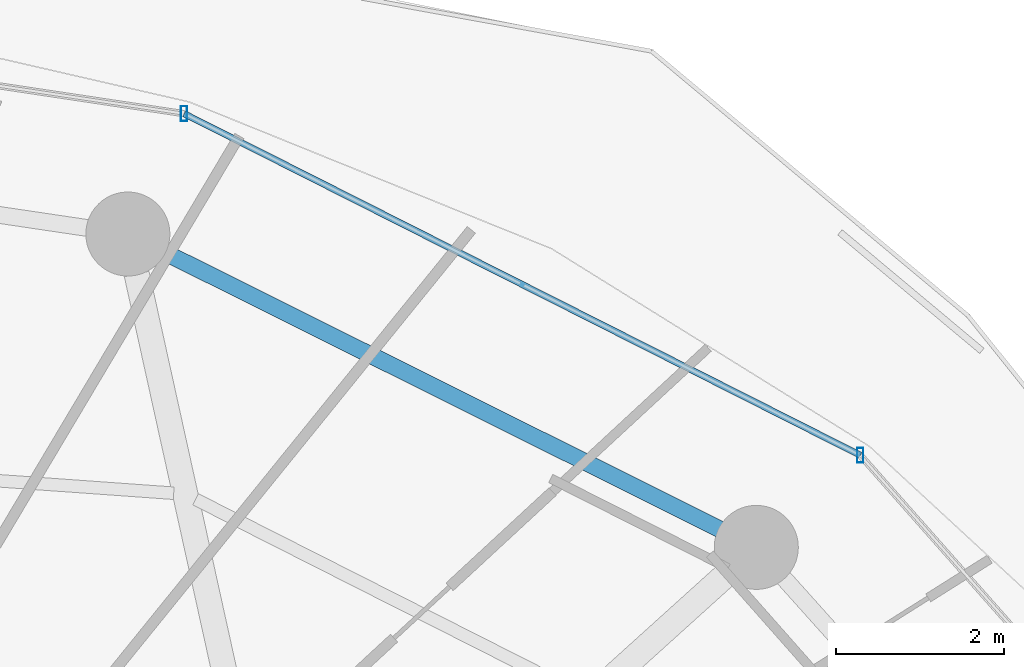
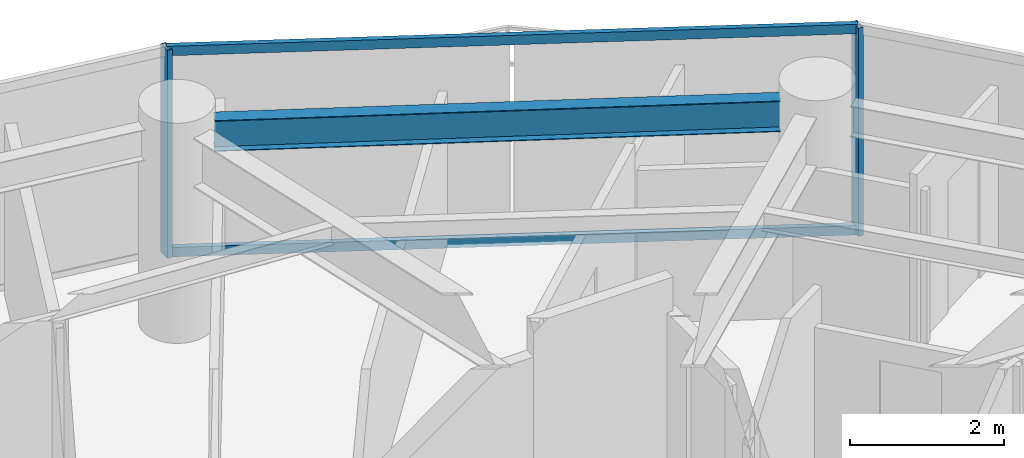
# One storey, part 18 of 28: 4 members, 1 beam, 1 element without a shape of its own.
"""IFC4 building model written with IfcOpenShell, lengths in metres."""

from ifc_helpers import new_model, si_unit, direction, frame, origin, origin_2d, place, context, subcontext, project, spatial, hollow_rectangle, i_section, extrude, material, material_profile, profile_set, type_object, element, aggregate, save


model = new_model("IFC4")

# Units and contexts
model_context = context("Model", 3, precision=1e-05, world=origin(), true_north=direction((0.0, 1.0)))
body_context = subcontext(model_context, "Body", "Model", "MODEL_VIEW")
ifc_project = project(units=[si_unit("LENGTHUNIT", "METRE"), si_unit("AREAUNIT", "SQUARE_METRE"), si_unit("VOLUMEUNIT", "CUBIC_METRE"), si_unit("PLANEANGLEUNIT", "RADIAN"), si_unit("MASSUNIT", "GRAM", prefix="KILO")], contexts=[model_context])

# Site, building, storey
site_placement = place(None, origin())
site = spatial("IfcSite", under=ifc_project, at=site_placement, CompositionType="ELEMENT")
building_placement = place(site_placement, origin())
building = spatial("IfcBuilding", under=site, at=building_placement, Name="Vorneva Point Tower", CompositionType="ELEMENT")
storey_placement = place(building_placement, frame((0.0, 0.0, 139.60009765625)))
storey = spatial("IfcBuildingStorey", under=building, at=storey_placement, Name="L37", CompositionType="ELEMENT", Elevation=139.60009765625)

# Beam
ifc_material_1 = material(Name="Steel S355", Category="steel")
ifc_material_profile_1 = material_profile(ifc_material_1, i_section(OverallWidth=0.199951171875, OverallDepth=0.491943359375, WebThickness=0.0087890625, FlangeThickness=0.011962890625, at=origin_2d()), Name="50B1")
ifc_profile_set_1 = profile_set([ifc_material_profile_1], Name="Steel S355")
beam_type = type_object("IfcBeamType", Name="BM-SPN-50B1", PredefinedType="SPANDREL", material=ifc_profile_set_1)
beam_placement = place(storey_placement, frame((53.86474609375, 38.378662109375, 2.993896484375), z_axis=(-0.894929061397, 0.446208443518, 0.0), x_axis=(-0.446208443518, -0.894929061397, 0.0)))
element("IfcBeam", 1, at=beam_placement, inside=storey, type_object=beam_type, Name="L37 Perimeter Spandrel Ring Beam 03", PredefinedType="SPANDREL", context=body_context, shape_type="SweptSolid", body=[
    extrude(i_section(OverallWidth=0.199951171875, OverallDepth=0.491943359375, WebThickness=0.0087890625, FlangeThickness=0.011962890625, at=origin_2d()), origin(), (0.0, 0.0, 1.0), 7.385986328125),
])

# Curtain wall, members
ifc_material_2 = material(Name="Pale anodised aluminium", Category="aluminium")
curtain_wall_type = type_object("IfcCurtainWallType", Name="CW-RES-SYS", PredefinedType="NOTDEFINED", material=ifc_material_2)
curtain_wall_placement = place(storey_placement, origin())
curtain_wall = element("IfcCurtainWall", 2, at=curtain_wall_placement, inside=storey, type_object=curtain_wall_type, Name="L37 Unitised Curtain Wall CW-L37-R01", PredefinedType="NOTDEFINED")
ifc_material_profile_2 = material_profile(ifc_material_2, hollow_rectangle(XDim=0.074951171875, YDim=0.179931640625, WallThickness=0.00390625, at=origin_2d()), Name="AL-MUL 180x75x4")
ifc_profile_set_2 = profile_set([ifc_material_profile_2], Name="Pale anodised aluminium")
member_type_1 = type_object("IfcMemberType", Name="CW-MUL-180", PredefinedType="MULLION", material=ifc_profile_set_2)
member_1_placement = place(storey_placement, frame((55.5361328125, 39.25830078125, -0.0400390625), z_axis=(0.0, 0.0, 1.0), x_axis=(1.0, 0.0, 0.0)))
member_1 = element("IfcMember", 3, at=member_1_placement, type_object=member_type_1, Name="CW-L37-R01 Mullion 02", PredefinedType="MULLION", context=body_context, shape_type="SweptSolid", body=[
    extrude(hollow_rectangle(XDim=0.074951171875, YDim=0.179931640625, WallThickness=0.00390625, at=origin_2d()), origin(), (0.0, 0.0, 1.0), 3.31005859375),
])
member_2_placement = place(storey_placement, frame((47.490478515625, 43.32275390625, -0.0400390625), z_axis=(0.0, 0.0, 1.0), x_axis=(1.0, 0.0, 0.0)))
member_2 = element("IfcMember", 4, at=member_2_placement, type_object=member_type_1, Name="CW-L37-R01 Mullion 03", PredefinedType="MULLION", context=body_context, shape_type="SweptSolid", body=[
    extrude(hollow_rectangle(XDim=0.074951171875, YDim=0.179931640625, WallThickness=0.00390625, at=origin_2d()), origin(), (0.0, 0.0, 1.0), 3.31005859375),
])
ifc_material_profile_3 = material_profile(ifc_material_2, hollow_rectangle(XDim=0.074951171875, YDim=0.14990234375, WallThickness=0.00390625, at=origin_2d()), Name="AL-TRN 150x75x4")
ifc_profile_set_3 = profile_set([ifc_material_profile_3], Name="Pale anodised aluminium")
member_type_2 = type_object("IfcMemberType", Name="CW-TRN-150", PredefinedType="USERDEFINED", material=ifc_profile_set_3)
member_3_placement = place(storey_placement, frame((55.5361328125, 39.25830078125, 0.02001953125), z_axis=(-0.892572392955, 0.450904117673, 0.0), x_axis=(-0.450904117673, -0.892572392955, 0.0)))
member_3 = element("IfcMember", 5, at=member_3_placement, type_object=member_type_2, Name="CW-L37-R01 Transom 02.1", ObjectType="TRANSOM", PredefinedType="USERDEFINED", context=body_context, shape_type="SweptSolid", body=[
    extrude(hollow_rectangle(XDim=0.074951171875, YDim=0.14990234375, WallThickness=0.00390625, at=origin_2d()), origin(), (0.0, 0.0, 1.0), 9.013916015625),
])
member_4_placement = place(storey_placement, frame((55.5361328125, 39.25830078125, 3.219970703125), z_axis=(-0.892572392955, 0.450904117673, 0.0), x_axis=(-0.450904117673, -0.892572392955, 0.0)))
member_4 = element("IfcMember", 6, at=member_4_placement, type_object=member_type_2, Name="CW-L37-R01 Transom 02.2", ObjectType="TRANSOM", PredefinedType="USERDEFINED", context=body_context, shape_type="SweptSolid", body=[
    extrude(hollow_rectangle(XDim=0.074951171875, YDim=0.14990234375, WallThickness=0.00390625, at=origin_2d()), origin(), (0.0, 0.0, 1.0), 9.013916015625),
])
aggregate(curtain_wall, [member_1, member_2, member_3, member_4])

save(model, "model.ifc")
